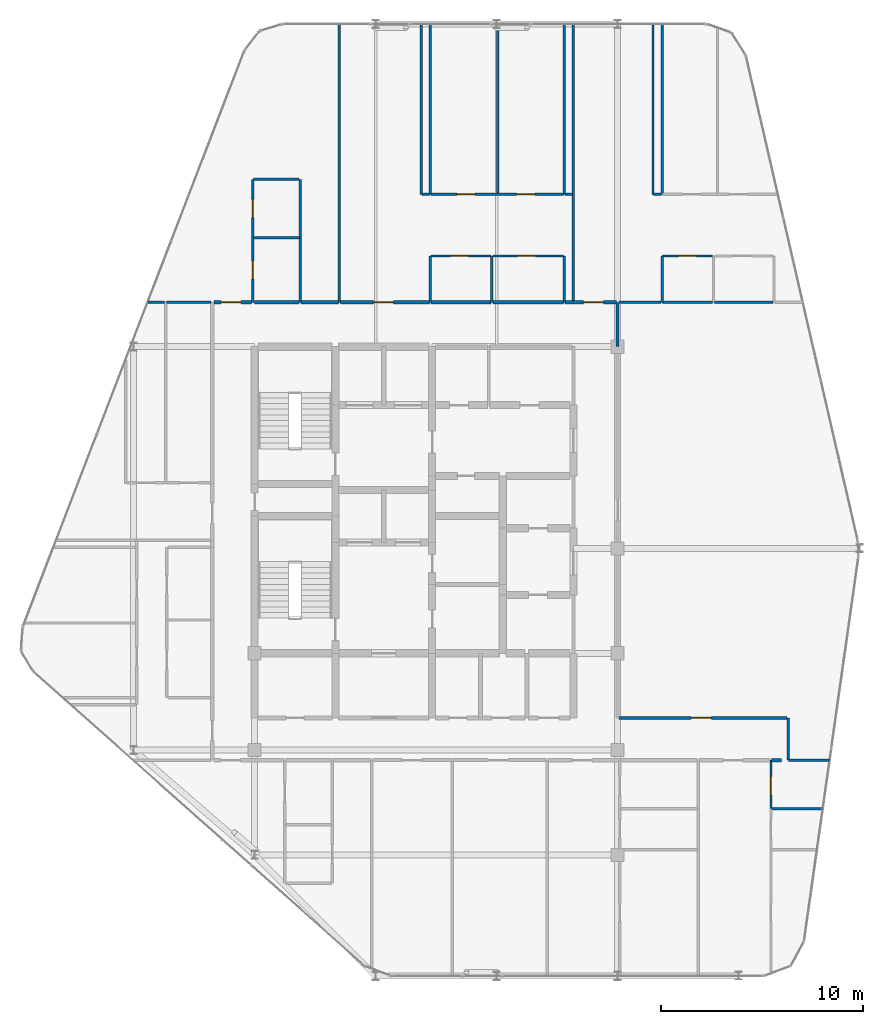
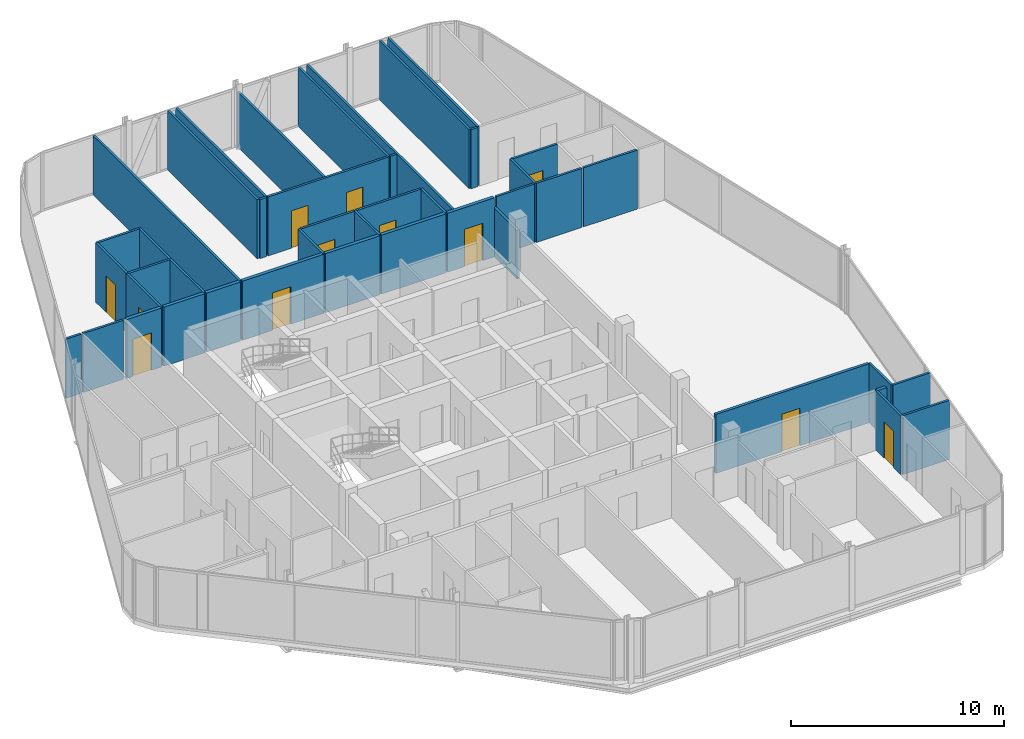
# One storey, part 25 of 27: 44 walls, 12 doors, 12 openings.
"""IFC4 building model written with IfcOpenShell, lengths in metres."""

from ifc_helpers import new_model, si_unit, direction, frame, frame_2d, origin, place, context, subcontext, project, spatial, rectangle, extrude, material, layer, layer_set, type_object, element, fill, save


model = new_model("IFC4")

# Units and contexts
model_context = context("Model", 3, precision=1e-05, world=origin(), true_north=direction((0.0, 1.0)))
body_context = subcontext(model_context, "Body", "Model", "MODEL_VIEW")
ifc_project = project(units=[si_unit("LENGTHUNIT", "METRE"), si_unit("AREAUNIT", "SQUARE_METRE"), si_unit("VOLUMEUNIT", "CUBIC_METRE"), si_unit("PLANEANGLEUNIT", "RADIAN"), si_unit("MASSUNIT", "GRAM", prefix="KILO")], contexts=[model_context])

# Site, building, storey
site_placement = place(None, origin())
site = spatial("IfcSite", under=ifc_project, at=site_placement, CompositionType="ELEMENT")
building_placement = place(site_placement, origin())
building = spatial("IfcBuilding", under=site, at=building_placement, Name="Keshet Zoharim Tower", CompositionType="ELEMENT")
storey_placement = place(building_placement, frame((0.0, 0.0, 284.300048828125)))
storey = spatial("IfcBuildingStorey", under=building, at=storey_placement, Name="L71", CompositionType="ELEMENT", Elevation=284.300048828125)

# Wall, opening, door
ifc_material_1 = material(Name="Gypsum Plasterboard", Category="gypsum")
ifc_layer_1 = layer(ifc_material_1, 0.14990234375)
ifc_layer_set_1 = layer_set([ifc_layer_1], Name="Gypsum Plasterboard")
wall_type_1 = type_object("IfcWallType", Name="WL-CLIN-150", PredefinedType="STANDARD", material=ifc_layer_set_1)
wall_1_placement = place(storey_placement, frame((33.06005859375, 19.5, 0.0), z_axis=(0.0, 0.0, 1.0), x_axis=(1.0, 0.0, 0.0)))
wall_1 = element("IfcWall", 1, at=wall_1_placement, inside=storey, type_object=wall_type_1, Name="L71 Interior Wall 103", PredefinedType="STANDARD", context=body_context, shape_type="SweptSolid", body=[
    extrude(rectangle(XDim=8.322998046875, YDim=0.14990234375, at=frame_2d((4.16162109375, 0.0))), origin(), (0.0, 0.0, 1.0), 3.389892578125),
])
opening_1_placement = place(wall_1_placement, frame((3.5830078125, 0.0, 0.0)))
opening_1 = element("IfcOpeningElement", 2, at=opening_1_placement, cuts=wall_1, Name="Opening D-F310", PredefinedType="OPENING", context=body_context, shape_type="SweptSolid", body=[
    extrude(rectangle(XDim=1.0, YDim=2.14990234375, at=frame_2d((0.5, 1.074951171875))), frame((0.0, 0.0849609375, 0.0), z_axis=(0.0, -1.0, 0.0), x_axis=(1.0, 0.0, 0.0)), (0.0, 0.0, 1.0), 0.169921875),
])
ifc_material_2 = material(Name="Hardwood Timber", Category="wood")
door_type_1 = type_object("IfcDoorType", Name="DR-FD30-100", OperationType="NOTDEFINED", PredefinedType="DOOR", material=ifc_material_2)
door_1_placement = place(opening_1_placement, origin())
door_1 = element("IfcDoor", 3, at=door_1_placement, inside=storey, type_object=door_type_1, Name="L71 North West Residents Services Suite Door 2", OperationType="SINGLE_SWING_RIGHT", OverallHeight=2.14990234375, OverallWidth=1.0, PredefinedType="DOOR", context=body_context, shape_type="SweptSolid", body=[
    extrude(rectangle(XDim=1.0, YDim=2.14990234375, at=frame_2d((0.5, 1.074951171875))), frame((0.0, 0.02490234375, 0.0), z_axis=(0.0, -1.0, 0.0), x_axis=(1.0, 0.0, 0.0)), (0.0, 0.0, 1.0), 0.050048828125),
])
fill(opening_1, door_1)

# Walls
wall_2_placement = place(storey_placement, frame((33.0, 37.89990234375, 0.0), z_axis=(0.0, 0.0, 1.0), x_axis=(0.0, 1.0, 0.0)))
element("IfcWall", 4, at=wall_2_placement, inside=storey, type_object=wall_type_1, Name="L71 Interior Wall 065 Part 3", PredefinedType="STANDARD", context=body_context, shape_type="SweptSolid", body=[
    extrude(rectangle(XDim=2.2001953125, YDim=0.14990234375, at=frame_2d((1.10009765625, 0.0))), origin(), (0.0, 0.0, 1.0), 2.7900390625),
])
ifc_layer_2 = layer(ifc_material_1, 0.179931640625)
ifc_layer_set_2 = layer_set([ifc_layer_2], Name="Gypsum Plasterboard")
wall_type_2 = type_object("IfcWallType", Name="WL-CORR-180", PredefinedType="STANDARD", material=ifc_layer_set_2)
wall_3_placement = place(storey_placement, frame((40.625, 17.39990234375, 0.0), z_axis=(0.0, 0.0, 1.0), x_axis=(1.0, 0.0, 0.0)))
element("IfcWall", 5, at=wall_3_placement, inside=storey, type_object=wall_type_2, Name="L71 Interior Wall 097", PredefinedType="STANDARD", context=body_context, shape_type="SweptSolid", body=[
    extrude(rectangle(XDim=0.5048828125, YDim=0.179931640625, at=frame_2d((0.25244140625, 0.0))), origin(), (0.0, 0.0, 1.0), 3.389892578125),
])

# Wall, opening, door
wall_4_placement = place(storey_placement, frame((12.97509765625, 40.10009765625, 0.0), z_axis=(0.0, 0.0, 1.0), x_axis=(1.0, 0.0, 0.0)))
wall_4 = element("IfcWall", 6, at=wall_4_placement, inside=storey, type_object=wall_type_2, Name="L71 Interior Wall 139", PredefinedType="STANDARD", context=body_context, shape_type="SweptSolid", body=[
    extrude(rectangle(XDim=1.8798828125, YDim=0.179931640625, at=frame_2d((0.93994140625, 0.0))), origin(), (0.0, 0.0, 1.0), 3.389892578125),
])
opening_2_placement = place(wall_4_placement, frame((0.346923828125, 0.0, 0.0)))
opening_2 = element("IfcOpeningElement", 7, at=opening_2_placement, cuts=wall_4, Name="Opening D-F310", PredefinedType="OPENING", context=body_context, shape_type="SweptSolid", body=[
    extrude(rectangle(XDim=1.0, YDim=2.14990234375, at=frame_2d((0.5, 1.074951171875))), frame((0.0, 0.10009765625, 0.0), z_axis=(0.0, -1.0, 0.0), x_axis=(1.0, 0.0, 0.0)), (0.0, 0.0, 1.0), 0.199951171875),
])
door_2_placement = place(opening_2_placement, origin())
door_2 = element("IfcDoor", 8, at=door_2_placement, inside=storey, type_object=door_type_1, Name="Apartment 7104 Entrance Door", OperationType="SINGLE_SWING_LEFT", OverallHeight=2.14990234375, OverallWidth=1.0, PredefinedType="DOOR", context=body_context, shape_type="SweptSolid", body=[
    extrude(rectangle(XDim=1.0, YDim=2.14990234375, at=frame_2d((0.5, 1.074951171875))), frame((0.0, 0.02490234375, 0.0), z_axis=(0.0, -1.0, 0.0), x_axis=(1.0, 0.0, 0.0)), (0.0, 0.0, 1.0), 0.050048828125),
])
fill(opening_2, door_2)

# Walls
wall_5_placement = place(storey_placement, frame((15.0, 40.10009765625, 0.0), z_axis=(0.0, 0.0, 1.0), x_axis=(1.0, 0.0, 0.0)))
element("IfcWall", 9, at=wall_5_placement, inside=storey, type_object=wall_type_2, Name="L71 Interior Wall 140", PredefinedType="STANDARD", context=body_context, shape_type="SweptSolid", body=[
    extrude(rectangle(XDim=2.205078125, YDim=0.179931640625, at=frame_2d((1.1025390625, 0.0))), origin(), (0.0, 0.0, 1.0), 3.389892578125),
])
wall_6_placement = place(storey_placement, frame((17.294921875, 40.10009765625, 0.0), z_axis=(0.0, 0.0, 1.0), x_axis=(1.0, 0.0, 0.0)))
element("IfcWall", 10, at=wall_6_placement, inside=storey, type_object=wall_type_2, Name="L71 Interior Wall 141", PredefinedType="STANDARD", context=body_context, shape_type="SweptSolid", body=[
    extrude(rectangle(XDim=1.860107421875, YDim=0.179931640625, at=frame_2d((0.93017578125, 0.0))), origin(), (0.0, 0.0, 1.0), 3.389892578125),
])

# Wall, opening, door
wall_7_placement = place(storey_placement, frame((19.2451171875, 40.10009765625, 0.0), z_axis=(0.0, 0.0, 1.0), x_axis=(1.0, 0.0, 0.0)))
wall_7 = element("IfcWall", 11, at=wall_7_placement, inside=storey, type_object=wall_type_2, Name="L71 Interior Wall 142", PredefinedType="STANDARD", context=body_context, shape_type="SweptSolid", body=[
    extrude(rectangle(XDim=4.419921875, YDim=0.179931640625, at=frame_2d((2.2099609375, 0.0))), origin(), (0.0, 0.0, 1.0), 3.389892578125),
])
opening_3_placement = place(wall_7_placement, frame((1.637939453125, 0.0, 0.0)))
opening_3 = element("IfcOpeningElement", 12, at=opening_3_placement, cuts=wall_7, Name="Opening D-F310", PredefinedType="OPENING", context=body_context, shape_type="SweptSolid", body=[
    extrude(rectangle(XDim=1.0, YDim=2.14990234375, at=frame_2d((0.5, 1.074951171875))), frame((0.0, 0.10009765625, 0.0), z_axis=(0.0, -1.0, 0.0), x_axis=(1.0, 0.0, 0.0)), (0.0, 0.0, 1.0), 0.199951171875),
])
door_3_placement = place(opening_3_placement, origin())
door_3 = element("IfcDoor", 13, at=door_3_placement, inside=storey, type_object=door_type_1, Name="Apartment 7105 Entrance Door", OperationType="SINGLE_SWING_RIGHT", OverallHeight=2.14990234375, OverallWidth=1.0, PredefinedType="DOOR", context=body_context, shape_type="SweptSolid", body=[
    extrude(rectangle(XDim=1.0, YDim=2.14990234375, at=frame_2d((0.5, 1.074951171875))), frame((0.0, 0.02490234375, 0.0), z_axis=(0.0, -1.0, 0.0), x_axis=(1.0, 0.0, 0.0)), (0.0, 0.0, 1.0), 0.050048828125),
])
fill(opening_3, door_3)

# Walls
wall_8_placement = place(storey_placement, frame((23.7548828125, 40.10009765625, 0.0), z_axis=(0.0, 0.0, 1.0), x_axis=(1.0, 0.0, 0.0)))
element("IfcWall", 14, at=wall_8_placement, inside=storey, type_object=wall_type_2, Name="L71 Interior Wall 143", PredefinedType="STANDARD", context=body_context, shape_type="SweptSolid", body=[
    extrude(rectangle(XDim=2.964111328125, YDim=0.179931640625, at=frame_2d((1.48193359375, 0.0))), origin(), (0.0, 0.0, 1.0), 3.389892578125),
])
wall_9_placement = place(storey_placement, frame((26.80908203125, 40.10009765625, 0.0), z_axis=(0.0, 0.0, 1.0), x_axis=(1.0, 0.0, 0.0)))
element("IfcWall", 15, at=wall_9_placement, inside=storey, type_object=wall_type_2, Name="L71 Interior Wall 144", PredefinedType="STANDARD", context=body_context, shape_type="SweptSolid", body=[
    extrude(rectangle(XDim=3.495849609375, YDim=0.179931640625, at=frame_2d((1.748046875, 0.0))), origin(), (0.0, 0.0, 1.0), 3.389892578125),
])

# Wall, opening, door
wall_10_placement = place(storey_placement, frame((30.39501953125, 40.10009765625, 0.0), z_axis=(0.0, 0.0, 1.0), x_axis=(1.0, 0.0, 0.0)))
wall_10 = element("IfcWall", 16, at=wall_10_placement, inside=storey, type_object=wall_type_2, Name="L71 Interior Wall 145", PredefinedType="STANDARD", context=body_context, shape_type="SweptSolid", body=[
    extrude(rectangle(XDim=2.544921875, YDim=0.179931640625, at=frame_2d((1.2724609375, 0.0))), origin(), (0.0, 0.0, 1.0), 3.389892578125),
])
opening_4_placement = place(wall_10_placement, frame((0.906005859375, 0.0, 0.0)))
opening_4 = element("IfcOpeningElement", 17, at=opening_4_placement, cuts=wall_10, Name="Opening D-F310", PredefinedType="OPENING", context=body_context, shape_type="SweptSolid", body=[
    extrude(rectangle(XDim=1.0, YDim=2.14990234375, at=frame_2d((0.5, 1.074951171875))), frame((0.0, 0.10009765625, 0.0), z_axis=(0.0, -1.0, 0.0), x_axis=(1.0, 0.0, 0.0)), (0.0, 0.0, 1.0), 0.199951171875),
])
door_4_placement = place(opening_4_placement, origin())
door_4 = element("IfcDoor", 18, at=door_4_placement, inside=storey, type_object=door_type_1, Name="Apartment 7106 Entrance Door", OperationType="SINGLE_SWING_LEFT", OverallHeight=2.14990234375, OverallWidth=1.0, PredefinedType="DOOR", context=body_context, shape_type="SweptSolid", body=[
    extrude(rectangle(XDim=1.0, YDim=2.14990234375, at=frame_2d((0.5, 1.074951171875))), frame((0.0, 0.02490234375, 0.0), z_axis=(0.0, -1.0, 0.0), x_axis=(1.0, 0.0, 0.0)), (0.0, 0.0, 1.0), 0.050048828125),
])
fill(opening_4, door_4)

ifc_layer_3 = layer(ifc_material_1, 0.1201171875)
ifc_layer_set_3 = layer_set([ifc_layer_3], Name="Gypsum Plasterboard")
wall_type_3 = type_object("IfcWallType", Name="WL-PART-120", PredefinedType="PARTITIONING", material=ifc_layer_set_3)
wall_11_placement = place(storey_placement, frame((14.89990234375, 40.10009765625, 0.0), z_axis=(0.0, 0.0, 1.0), x_axis=(0.0, 1.0, 0.0)))
wall_11 = element("IfcWall", 19, at=wall_11_placement, inside=storey, type_object=wall_type_3, Name="L71 Interior Wall 014", PredefinedType="PARTITIONING", context=body_context, shape_type="SweptSolid", body=[
    extrude(rectangle(XDim=3.199951171875, YDim=0.1201171875, at=frame_2d((1.60009765625, 0.0))), origin(), (0.0, 0.0, 1.0), 3.389892578125),
])
opening_5_placement = place(wall_11_placement, frame((1.14990234375, 0.0, 0.0)))
opening_5 = element("IfcOpeningElement", 20, at=opening_5_placement, cuts=wall_11, Name="Opening D-IN90", PredefinedType="OPENING", context=body_context, shape_type="SweptSolid", body=[
    extrude(rectangle(XDim=0.89990234375, YDim=2.14990234375, at=frame_2d((0.449951171875, 1.074951171875))), frame((0.0, 0.070068359375, 0.0), z_axis=(0.0, -1.0, 0.0), x_axis=(1.0, 0.0, 0.0)), (0.0, 0.0, 1.0), 0.14013671875),
])
door_type_2 = type_object("IfcDoorType", Name="DR-INT-090", OperationType="NOTDEFINED", PredefinedType="DOOR", material=ifc_material_2)
door_5_placement = place(opening_5_placement, origin())
door_5 = element("IfcDoor", 21, at=door_5_placement, inside=storey, type_object=door_type_2, Name="Apartment 7104 Kitchenette Door", OperationType="SINGLE_SWING_LEFT", OverallHeight=2.14990234375, OverallWidth=0.89990234375, PredefinedType="DOOR", context=body_context, shape_type="SweptSolid", body=[
    extrude(rectangle(XDim=0.89990234375, YDim=2.14990234375, at=frame_2d((0.449951171875, 1.074951171875))), frame((0.0, 0.02490234375, 0.0), z_axis=(0.0, -1.0, 0.0), x_axis=(1.0, 0.0, 0.0)), (0.0, 0.0, 1.0), 0.050048828125),
])
fill(opening_5, door_5)

# Walls
wall_12_placement = place(storey_placement, frame((17.25, 40.10009765625, 0.0), z_axis=(0.0, 0.0, 1.0), x_axis=(0.0, 1.0, 0.0)))
element("IfcWall", 22, at=wall_12_placement, inside=storey, type_object=wall_type_3, Name="L71 Interior Wall 022", PredefinedType="PARTITIONING", context=body_context, shape_type="SweptSolid", body=[
    extrude(rectangle(XDim=3.199951171875, YDim=0.1201171875, at=frame_2d((1.60009765625, 0.0))), origin(), (0.0, 0.0, 1.0), 3.389892578125),
])
wall_13_placement = place(storey_placement, frame((19.199951171875, 40.10009765625, 0.0), z_axis=(0.0, 0.0, 1.0), x_axis=(0.0, 1.0, 0.0)))
element("IfcWall", 23, at=wall_13_placement, inside=storey, type_object=wall_type_3, Name="L71 Interior Wall 031", PredefinedType="PARTITIONING", context=body_context, shape_type="SweptSolid", body=[
    extrude(rectangle(XDim=13.789794921875, YDim=0.1201171875, at=frame_2d((6.89501953125, 0.0))), origin(), (0.0, 0.0, 1.0), 3.389892578125),
])
wall_14_placement = place(storey_placement, frame((23.25, 45.449951171875, 0.0), z_axis=(0.0, 0.0, 1.0), x_axis=(0.0, 1.0, 0.0)))
element("IfcWall", 24, at=wall_14_placement, inside=storey, type_object=wall_type_3, Name="L71 Interior Wall 035", PredefinedType="PARTITIONING", context=body_context, shape_type="SweptSolid", body=[
    extrude(rectangle(XDim=8.43994140625, YDim=0.1201171875, at=frame_2d((4.219970703125, 0.0))), origin(), (0.0, 0.0, 1.0), 3.389892578125),
])
wall_15_placement = place(storey_placement, frame((23.699951171875, 40.10009765625, 0.0), z_axis=(0.0, 0.0, 1.0), x_axis=(0.0, 1.0, 0.0)))
element("IfcWall", 25, at=wall_15_placement, inside=storey, type_object=wall_type_3, Name="L71 Interior Wall 036", PredefinedType="PARTITIONING", context=body_context, shape_type="SweptSolid", body=[
    extrude(rectangle(XDim=2.2998046875, YDim=0.1201171875, at=frame_2d((1.14990234375, 0.0))), origin(), (0.0, 0.0, 1.0), 3.389892578125),
])
wall_16_placement = place(storey_placement, frame((23.699951171875, 45.449951171875, 0.0), z_axis=(0.0, 0.0, 1.0), x_axis=(0.0, 1.0, 0.0)))
element("IfcWall", 26, at=wall_16_placement, inside=storey, type_object=wall_type_3, Name="L71 Interior Wall 037", PredefinedType="PARTITIONING", context=body_context, shape_type="SweptSolid", body=[
    extrude(rectangle(XDim=8.43994140625, YDim=0.1201171875, at=frame_2d((4.219970703125, 0.0))), origin(), (0.0, 0.0, 1.0), 3.389892578125),
])
wall_17_placement = place(storey_placement, frame((27.050048828125, 45.449951171875, 0.0), z_axis=(0.0, 0.0, 1.0), x_axis=(0.0, 1.0, 0.0)))
element("IfcWall", 27, at=wall_17_placement, inside=storey, type_object=wall_type_3, Name="L71 Interior Wall 049", PredefinedType="PARTITIONING", context=body_context, shape_type="SweptSolid", body=[
    extrude(rectangle(XDim=8.43994140625, YDim=0.1201171875, at=frame_2d((4.219970703125, 0.0))), origin(), (0.0, 0.0, 1.0), 3.14990234375),
])
wall_18_placement = place(storey_placement, frame((30.35009765625, 45.449951171875, 0.0), z_axis=(0.0, 0.0, 1.0), x_axis=(0.0, 1.0, 0.0)))
element("IfcWall", 28, at=wall_18_placement, inside=storey, type_object=wall_type_3, Name="L71 Interior Wall 057", PredefinedType="PARTITIONING", context=body_context, shape_type="SweptSolid", body=[
    extrude(rectangle(XDim=8.43994140625, YDim=0.1201171875, at=frame_2d((4.219970703125, 0.0))), origin(), (0.0, 0.0, 1.0), 3.389892578125),
])
wall_19_placement = place(storey_placement, frame((30.800048828125, 40.10009765625, 0.0), z_axis=(0.0, 0.0, 1.0), x_axis=(0.0, 1.0, 0.0)))
element("IfcWall", 29, at=wall_19_placement, inside=storey, type_object=wall_type_3, Name="L71 Interior Wall 064", PredefinedType="PARTITIONING", context=body_context, shape_type="SweptSolid", body=[
    extrude(rectangle(XDim=13.789794921875, YDim=0.1201171875, at=frame_2d((6.89501953125, 0.0))), origin(), (0.0, 0.0, 1.0), 3.389892578125),
])
wall_20_placement = place(storey_placement, frame((34.75, 45.449951171875, 0.0), z_axis=(0.0, 0.0, 1.0), x_axis=(0.0, 1.0, 0.0)))
element("IfcWall", 30, at=wall_20_placement, inside=storey, type_object=wall_type_3, Name="L71 Interior Wall 069", PredefinedType="PARTITIONING", context=body_context, shape_type="SweptSolid", body=[
    extrude(rectangle(XDim=8.43994140625, YDim=0.1201171875, at=frame_2d((4.219970703125, 0.0))), origin(), (0.0, 0.0, 1.0), 3.389892578125),
])
wall_21_placement = place(storey_placement, frame((35.199951171875, 40.10009765625, 0.0), z_axis=(0.0, 0.0, 1.0), x_axis=(0.0, 1.0, 0.0)))
element("IfcWall", 31, at=wall_21_placement, inside=storey, type_object=wall_type_3, Name="L71 Interior Wall 070", PredefinedType="PARTITIONING", context=body_context, shape_type="SweptSolid", body=[
    extrude(rectangle(XDim=2.2998046875, YDim=0.1201171875, at=frame_2d((1.14990234375, 0.0))), origin(), (0.0, 0.0, 1.0), 3.389892578125),
])
wall_22_placement = place(storey_placement, frame((35.199951171875, 45.449951171875, 0.0), z_axis=(0.0, 0.0, 1.0), x_axis=(0.0, 1.0, 0.0)))
element("IfcWall", 32, at=wall_22_placement, inside=storey, type_object=wall_type_3, Name="L71 Interior Wall 071", PredefinedType="PARTITIONING", context=body_context, shape_type="SweptSolid", body=[
    extrude(rectangle(XDim=8.43994140625, YDim=0.1201171875, at=frame_2d((4.219970703125, 0.0))), origin(), (0.0, 0.0, 1.0), 3.389892578125),
])
wall_23_placement = place(storey_placement, frame((41.449951171875, 17.39990234375, 0.0), z_axis=(0.0, 0.0, 1.0), x_axis=(0.0, 1.0, 0.0)))
element("IfcWall", 33, at=wall_23_placement, inside=storey, type_object=wall_type_3, Name="L71 Interior Wall 081", PredefinedType="PARTITIONING", context=body_context, shape_type="SweptSolid", body=[
    extrude(rectangle(XDim=2.09912109375, YDim=0.1201171875, at=frame_2d((1.049560546875, 0.0))), origin(), (0.0, 0.0, 1.0), 3.389892578125),
])
wall_24_placement = place(storey_placement, frame((9.701904296875, 40.10009765625, 0.0), z_axis=(0.0, 0.0, 1.0), x_axis=(1.0, 0.0, 0.0)))
element("IfcWall", 34, at=wall_24_placement, inside=storey, type_object=wall_type_3, Name="L71 Interior Wall 137", PredefinedType="PARTITIONING", context=body_context, shape_type="SweptSolid", body=[
    extrude(rectangle(XDim=0.8310546875, YDim=0.1201171875, at=frame_2d((0.41552734375, 0.0))), origin(), (0.0, 0.0, 1.0), 3.389892578125),
])
wall_25_placement = place(storey_placement, frame((33.06005859375, 40.10009765625, 0.0), z_axis=(0.0, 0.0, 1.0), x_axis=(1.0, 0.0, 0.0)))
element("IfcWall", 35, at=wall_25_placement, inside=storey, type_object=wall_type_3, Name="L71 Interior Wall 146", PredefinedType="PARTITIONING", context=body_context, shape_type="SweptSolid", body=[
    extrude(rectangle(XDim=2.074951171875, YDim=0.1201171875, at=frame_2d((1.03759765625, 0.0))), origin(), (0.0, 0.0, 1.0), 3.389892578125),
])
wall_26_placement = place(storey_placement, frame((35.22509765625, 40.10009765625, 0.0), z_axis=(0.0, 0.0, 1.0), x_axis=(1.0, 0.0, 0.0)))
element("IfcWall", 36, at=wall_26_placement, inside=storey, type_object=wall_type_3, Name="L71 Interior Wall 147", PredefinedType="PARTITIONING", context=body_context, shape_type="SweptSolid", body=[
    extrude(rectangle(XDim=2.472900390625, YDim=0.1201171875, at=frame_2d((1.236328125, 0.0))), origin(), (0.0, 0.0, 1.0), 3.389892578125),
])

# Wall, opening, door
wall_27_placement = place(storey_placement, frame((23.7548828125, 42.39990234375, 0.0), z_axis=(0.0, 0.0, 1.0), x_axis=(1.0, 0.0, 0.0)))
wall_27 = element("IfcWall", 37, at=wall_27_placement, inside=storey, type_object=wall_type_3, Name="L71 Interior Wall 150", PredefinedType="PARTITIONING", context=body_context, shape_type="SweptSolid", body=[
    extrude(rectangle(XDim=2.964111328125, YDim=0.1201171875, at=frame_2d((1.48193359375, 0.0))), origin(), (0.0, 0.0, 1.0), 3.389892578125),
])
opening_6_placement = place(wall_27_placement, frame((0.9580078125, 0.0, 0.0)))
opening_6 = element("IfcOpeningElement", 38, at=opening_6_placement, cuts=wall_27, Name="Opening D-IN90", PredefinedType="OPENING", context=body_context, shape_type="SweptSolid", body=[
    extrude(rectangle(XDim=0.89990234375, YDim=2.14990234375, at=frame_2d((0.449951171875, 1.074951171875))), frame((0.0, 0.070068359375, 0.0), z_axis=(0.0, -1.0, 0.0), x_axis=(1.0, 0.0, 0.0)), (0.0, 0.0, 1.0), 0.14013671875),
])
door_6_placement = place(opening_6_placement, origin())
door_6 = element("IfcDoor", 39, at=door_6_placement, inside=storey, type_object=door_type_2, Name="Apartment 7105 Kitchen Door", OperationType="SINGLE_SWING_RIGHT", OverallHeight=2.14990234375, OverallWidth=0.89990234375, PredefinedType="DOOR", context=body_context, shape_type="SweptSolid", body=[
    extrude(rectangle(XDim=0.89990234375, YDim=2.14990234375, at=frame_2d((0.449951171875, 1.074951171875))), frame((0.0, 0.02490234375, 0.0), z_axis=(0.0, -1.0, 0.0), x_axis=(1.0, 0.0, 0.0)), (0.0, 0.0, 1.0), 0.050048828125),
])
fill(opening_6, door_6)

wall_28_placement = place(storey_placement, frame((35.22509765625, 42.39990234375, 0.0), z_axis=(0.0, 0.0, 1.0), x_axis=(1.0, 0.0, 0.0)))
wall_28 = element("IfcWall", 40, at=wall_28_placement, inside=storey, type_object=wall_type_3, Name="L71 Interior Wall 152", PredefinedType="PARTITIONING", context=body_context, shape_type="SweptSolid", body=[
    extrude(rectangle(XDim=2.472900390625, YDim=0.1201171875, at=frame_2d((1.236328125, 0.0))), origin(), (0.0, 0.0, 1.0), 3.389892578125),
])
opening_7_placement = place(wall_28_placement, frame((0.787109375, 0.0, 0.0)))
opening_7 = element("IfcOpeningElement", 41, at=opening_7_placement, cuts=wall_28, Name="Opening D-IN90", PredefinedType="OPENING", context=body_context, shape_type="SweptSolid", body=[
    extrude(rectangle(XDim=0.89990234375, YDim=2.14990234375, at=frame_2d((0.449951171875, 1.074951171875))), frame((0.0, 0.070068359375, 0.0), z_axis=(0.0, -1.0, 0.0), x_axis=(1.0, 0.0, 0.0)), (0.0, 0.0, 1.0), 0.14013671875),
])
door_7_placement = place(opening_7_placement, origin())
door_7 = element("IfcDoor", 42, at=door_7_placement, inside=storey, type_object=door_type_2, Name="Apartment 7106 Kitchen Door", OperationType="SINGLE_SWING_RIGHT", OverallHeight=2.14990234375, OverallWidth=0.89990234375, PredefinedType="DOOR", context=body_context, shape_type="SweptSolid", body=[
    extrude(rectangle(XDim=0.89990234375, YDim=2.14990234375, at=frame_2d((0.449951171875, 1.074951171875))), frame((0.0, 0.02490234375, 0.0), z_axis=(0.0, -1.0, 0.0), x_axis=(1.0, 0.0, 0.0)), (0.0, 0.0, 1.0), 0.050048828125),
])
fill(opening_7, door_7)

# Wall
wall_29_placement = place(storey_placement, frame((23.304931640625, 45.449951171875, 0.0), z_axis=(0.0, 0.0, 1.0), x_axis=(1.0, 0.0, 0.0)))
element("IfcWall", 43, at=wall_29_placement, inside=storey, type_object=wall_type_3, Name="L71 Interior Wall 155", PredefinedType="PARTITIONING", context=body_context, shape_type="SweptSolid", body=[
    extrude(rectangle(XDim=0.360107421875, YDim=0.1201171875, at=frame_2d((0.18017578125, 0.0))), origin(), (0.0, 0.0, 1.0), 3.389892578125),
])

# Wall, openings, doors
wall_30_placement = place(storey_placement, frame((23.7548828125, 45.449951171875, 0.0), z_axis=(0.0, 0.0, 1.0), x_axis=(1.0, 0.0, 0.0)))
wall_30 = element("IfcWall", 44, at=wall_30_placement, inside=storey, type_object=wall_type_3, Name="L71 Interior Wall 156", PredefinedType="PARTITIONING", context=body_context, shape_type="SweptSolid", body=[
    extrude(rectangle(XDim=6.550048828125, YDim=0.1201171875, at=frame_2d((3.27490234375, 0.0))), origin(), (0.0, 0.0, 1.0), 3.389892578125),
])
opening_8_placement = place(wall_30_placement, frame((1.26806640625, 0.0, 0.0)))
opening_8 = element("IfcOpeningElement", 45, at=opening_8_placement, cuts=wall_30, Name="Opening D-IN90", PredefinedType="OPENING", context=body_context, shape_type="SweptSolid", body=[
    extrude(rectangle(XDim=0.89990234375, YDim=2.14990234375, at=frame_2d((0.449951171875, 1.074951171875))), frame((0.0, 0.070068359375, 0.0), z_axis=(0.0, -1.0, 0.0), x_axis=(1.0, 0.0, 0.0)), (0.0, 0.0, 1.0), 0.14013671875),
])
opening_9_placement = place(wall_30_placement, frame((4.238037109375, 0.0, 0.0)))
opening_9 = element("IfcOpeningElement", 46, at=opening_9_placement, cuts=wall_30, Name="Opening D-IN90", PredefinedType="OPENING", context=body_context, shape_type="SweptSolid", body=[
    extrude(rectangle(XDim=0.89990234375, YDim=2.14990234375, at=frame_2d((0.449951171875, 1.074951171875))), frame((0.0, 0.070068359375, 0.0), z_axis=(0.0, -1.0, 0.0), x_axis=(1.0, 0.0, 0.0)), (0.0, 0.0, 1.0), 0.14013671875),
])
door_8_placement = place(opening_8_placement, origin())
door_8 = element("IfcDoor", 47, at=door_8_placement, inside=storey, type_object=door_type_2, Name="Apartment 7105 Bedroom 1 Door", OperationType="SINGLE_SWING_RIGHT", OverallHeight=2.14990234375, OverallWidth=0.89990234375, PredefinedType="DOOR", context=body_context, shape_type="SweptSolid", body=[
    extrude(rectangle(XDim=0.89990234375, YDim=2.14990234375, at=frame_2d((0.449951171875, 1.074951171875))), frame((0.0, 0.02490234375, 0.0), z_axis=(0.0, -1.0, 0.0), x_axis=(1.0, 0.0, 0.0)), (0.0, 0.0, 1.0), 0.050048828125),
])
fill(opening_8, door_8)
door_9_placement = place(opening_9_placement, origin())
door_9 = element("IfcDoor", 48, at=door_9_placement, inside=storey, type_object=door_type_2, Name="Apartment 7105 Bedroom 2 Door", OperationType="SINGLE_SWING_LEFT", OverallHeight=2.14990234375, OverallWidth=0.89990234375, PredefinedType="DOOR", context=body_context, shape_type="SweptSolid", body=[
    extrude(rectangle(XDim=0.89990234375, YDim=2.14990234375, at=frame_2d((0.449951171875, 1.074951171875))), frame((0.0, 0.02490234375, 0.0), z_axis=(0.0, -1.0, 0.0), x_axis=(1.0, 0.0, 0.0)), (0.0, 0.0, 1.0), 0.050048828125),
])
fill(opening_9, door_9)

# Walls
wall_31_placement = place(storey_placement, frame((30.39501953125, 45.449951171875, 0.0), z_axis=(0.0, 0.0, 1.0), x_axis=(1.0, 0.0, 0.0)))
element("IfcWall", 49, at=wall_31_placement, inside=storey, type_object=wall_type_3, Name="L71 Interior Wall 157", PredefinedType="PARTITIONING", context=body_context, shape_type="SweptSolid", body=[
    extrude(rectangle(XDim=0.35986328125, YDim=0.1201171875, at=frame_2d((0.179931640625, 0.0))), origin(), (0.0, 0.0, 1.0), 3.389892578125),
])
wall_32_placement = place(storey_placement, frame((34.77490234375, 45.449951171875, 0.0), z_axis=(0.0, 0.0, 1.0), x_axis=(1.0, 0.0, 0.0)))
element("IfcWall", 50, at=wall_32_placement, inside=storey, type_object=wall_type_3, Name="L71 Interior Wall 158", PredefinedType="PARTITIONING", context=body_context, shape_type="SweptSolid", body=[
    extrude(rectangle(XDim=0.360107421875, YDim=0.1201171875, at=frame_2d((0.18017578125, 0.0))), origin(), (0.0, 0.0, 1.0), 3.389892578125),
])

# Wall, opening, door
ifc_layer_4 = layer(ifc_material_1, 0.1201171875)
ifc_layer_set_4 = layer_set([ifc_layer_4], Name="Gypsum Plasterboard")
wall_type_4 = type_object("IfcWallType", Name="WL-WET-120", PredefinedType="PARTITIONING", material=ifc_layer_set_4)
wall_33_placement = place(storey_placement, frame((14.89990234375, 43.300048828125, 0.0), z_axis=(0.0, 0.0, 1.0), x_axis=(0.0, 1.0, 0.0)))
wall_33 = element("IfcWall", 51, at=wall_33_placement, inside=storey, type_object=wall_type_4, Name="L71 Interior Wall 015", PredefinedType="PARTITIONING", context=body_context, shape_type="SweptSolid", body=[
    extrude(rectangle(XDim=2.89990234375, YDim=0.1201171875, at=frame_2d((1.449951171875, 0.0))), origin(), (0.0, 0.0, 1.0), 3.389892578125),
])
opening_10_placement = place(wall_33_placement, frame((1.0, 0.0, 0.0)))
opening_10 = element("IfcOpeningElement", 52, at=opening_10_placement, cuts=wall_33, Name="Opening D-WT90", PredefinedType="OPENING", context=body_context, shape_type="SweptSolid", body=[
    extrude(rectangle(XDim=0.89990234375, YDim=2.10009765625, at=frame_2d((0.449951171875, 1.050048828125))), frame((0.0, 0.070068359375, 0.0), z_axis=(0.0, -1.0, 0.0), x_axis=(1.0, 0.0, 0.0)), (0.0, 0.0, 1.0), 0.14013671875),
])
door_type_3 = type_object("IfcDoorType", Name="DR-WET-090", OperationType="NOTDEFINED", PredefinedType="DOOR", material=ifc_material_2)
door_10_placement = place(opening_10_placement, origin())
door_10 = element("IfcDoor", 53, at=door_10_placement, inside=storey, type_object=door_type_3, Name="Apartment 7104 Bathroom Door", OperationType="SINGLE_SWING_RIGHT", OverallHeight=2.10009765625, OverallWidth=0.89990234375, PredefinedType="DOOR", context=body_context, shape_type="SweptSolid", body=[
    extrude(rectangle(XDim=0.89990234375, YDim=2.10009765625, at=frame_2d((0.449951171875, 1.050048828125))), frame((0.0, 0.02490234375, 0.0), z_axis=(0.0, -1.0, 0.0), x_axis=(1.0, 0.0, 0.0)), (0.0, 0.0, 1.0), 0.050048828125),
])
fill(opening_10, door_10)

# Walls
wall_34_placement = place(storey_placement, frame((17.25, 43.300048828125, 0.0), z_axis=(0.0, 0.0, 1.0), x_axis=(0.0, 1.0, 0.0)))
element("IfcWall", 54, at=wall_34_placement, inside=storey, type_object=wall_type_4, Name="L71 Interior Wall 023", PredefinedType="PARTITIONING", context=body_context, shape_type="SweptSolid", body=[
    extrude(rectangle(XDim=2.89990234375, YDim=0.1201171875, at=frame_2d((1.449951171875, 0.0))), origin(), (0.0, 0.0, 1.0), 3.389892578125),
])
for number, where, z_axis, x_axis, name in (
    (55, (26.75, 40.10009765625, 0.0), (0.0, 0.0, 1.0), (0.0, 1.0, 0.0), "L71 Interior Wall 048"),
    (56, (30.35009765625, 40.10009765625, 0.0), (0.0, 0.0, 1.0), (0.0, 1.0, 0.0), "L71 Interior Wall 056"),
):
    element("IfcWall", number, at=place(storey_placement, frame(where, z_axis=z_axis, x_axis=x_axis)), inside=storey, type_object=wall_type_4, Name=name, PredefinedType="PARTITIONING", context=body_context, shape_type="SweptSolid", body=[
        extrude(rectangle(XDim=2.2998046875, YDim=0.1201171875, at=frame_2d((1.14990234375, 0.0))), origin(), (0.0, 0.0, 1.0), 3.389892578125),
    ])

# Wall, opening, door
wall_35_placement = place(storey_placement, frame((40.60009765625, 15.008056640625, 0.0), z_axis=(0.0, 0.0, 1.0), x_axis=(0.0, 1.0, 0.0)))
wall_35 = element("IfcWall", 57, at=wall_35_placement, inside=storey, type_object=wall_type_4, Name="L71 Interior Wall 079", PredefinedType="PARTITIONING", context=body_context, shape_type="SweptSolid", body=[
    extrude(rectangle(XDim=2.391845703125, YDim=0.1201171875, at=frame_2d((1.19580078125, 0.0))), origin(), (0.0, 0.0, 1.0), 3.389892578125),
])
opening_11_placement = place(wall_35_placement, frame((0.675048828125, 0.0, 0.0)))
opening_11 = element("IfcOpeningElement", 58, at=opening_11_placement, cuts=wall_35, Name="Opening D-WT90", PredefinedType="OPENING", context=body_context, shape_type="SweptSolid", body=[
    extrude(rectangle(XDim=0.89990234375, YDim=2.10009765625, at=frame_2d((0.449951171875, 1.050048828125))), frame((0.0, 0.070068359375, 0.0), z_axis=(0.0, -1.0, 0.0), x_axis=(1.0, 0.0, 0.0)), (0.0, 0.0, 1.0), 0.14013671875),
])
door_11_placement = place(opening_11_placement, origin())
door_11 = element("IfcDoor", 59, at=door_11_placement, inside=storey, type_object=door_type_3, Name="Apartment 7103 Bathroom Door", OperationType="SINGLE_SWING_LEFT", OverallHeight=2.10009765625, OverallWidth=0.89990234375, PredefinedType="DOOR", context=body_context, shape_type="SweptSolid", body=[
    extrude(rectangle(XDim=0.89990234375, YDim=2.10009765625, at=frame_2d((0.449951171875, 1.050048828125))), frame((0.0, 0.02490234375, 0.0), z_axis=(0.0, -1.0, 0.0), x_axis=(1.0, 0.0, 0.0)), (0.0, 0.0, 1.0), 0.050048828125),
])
fill(opening_11, door_11)

# Walls
wall_36_placement = place(storey_placement, frame((40.625, 15.0, 0.0), z_axis=(0.0, 0.0, 1.0), x_axis=(1.0, 0.0, 0.0)))
element("IfcWall", 60, at=wall_36_placement, inside=storey, type_object=wall_type_4, Name="L71 Interior Wall 087", PredefinedType="PARTITIONING", context=body_context, shape_type="SweptSolid", body=[
    extrude(rectangle(XDim=2.5390625, YDim=0.1201171875, at=frame_2d((1.26953125, 0.0))), origin(), (0.0, 0.0, 1.0), 3.389892578125),
])
wall_37_placement = place(storey_placement, frame((41.472900390625, 17.39990234375, 0.0), z_axis=(0.0, 0.0, 1.0), x_axis=(1.0, 0.0, 0.0)))
element("IfcWall", 61, at=wall_37_placement, inside=storey, type_object=wall_type_4, Name="L71 Interior Wall 098", PredefinedType="PARTITIONING", context=body_context, shape_type="SweptSolid", body=[
    extrude(rectangle(XDim=2.031005859375, YDim=0.1201171875, at=frame_2d((1.015625, 0.0))), origin(), (0.0, 0.0, 1.0), 3.389892578125),
])
wall_38_placement = place(storey_placement, frame((10.623046875, 40.10009765625, 0.0), z_axis=(0.0, 0.0, 1.0), x_axis=(1.0, 0.0, 0.0)))
element("IfcWall", 62, at=wall_38_placement, inside=storey, type_object=wall_type_4, Name="L71 Interior Wall 138", PredefinedType="PARTITIONING", context=body_context, shape_type="SweptSolid", body=[
    extrude(rectangle(XDim=2.201904296875, YDim=0.1201171875, at=frame_2d((1.10107421875, 0.0))), origin(), (0.0, 0.0, 1.0), 3.389892578125),
])
wall_39_placement = place(storey_placement, frame((37.7880859375, 40.10009765625, 0.0), z_axis=(0.0, 0.0, 1.0), x_axis=(1.0, 0.0, 0.0)))
element("IfcWall", 63, at=wall_39_placement, inside=storey, type_object=wall_type_4, Name="L71 Interior Wall 148", PredefinedType="PARTITIONING", context=body_context, shape_type="SweptSolid", body=[
    extrude(rectangle(XDim=2.91796875, YDim=0.1201171875, at=frame_2d((1.458984375, 0.0))), origin(), (0.0, 0.0, 1.0), 3.389892578125),
])

# Wall, opening, door
wall_40_placement = place(storey_placement, frame((26.80908203125, 42.39990234375, 0.0), z_axis=(0.0, 0.0, 1.0), x_axis=(1.0, 0.0, 0.0)))
wall_40 = element("IfcWall", 64, at=wall_40_placement, inside=storey, type_object=wall_type_4, Name="L71 Interior Wall 151", PredefinedType="PARTITIONING", context=body_context, shape_type="SweptSolid", body=[
    extrude(rectangle(XDim=3.495849609375, YDim=0.1201171875, at=frame_2d((1.748046875, 0.0))), origin(), (0.0, 0.0, 1.0), 3.389892578125),
])
opening_12_placement = place(wall_40_placement, frame((1.22509765625, 0.0, 0.0)))
opening_12 = element("IfcOpeningElement", 65, at=opening_12_placement, cuts=wall_40, Name="Opening D-WT90", PredefinedType="OPENING", context=body_context, shape_type="SweptSolid", body=[
    extrude(rectangle(XDim=0.89990234375, YDim=2.10009765625, at=frame_2d((0.449951171875, 1.050048828125))), frame((0.0, 0.070068359375, 0.0), z_axis=(0.0, -1.0, 0.0), x_axis=(1.0, 0.0, 0.0)), (0.0, 0.0, 1.0), 0.14013671875),
])
door_12_placement = place(opening_12_placement, origin())
door_12 = element("IfcDoor", 66, at=door_12_placement, inside=storey, type_object=door_type_3, Name="Apartment 7105 Bathroom Door", OperationType="SINGLE_SWING_LEFT", OverallHeight=2.10009765625, OverallWidth=0.89990234375, PredefinedType="DOOR", context=body_context, shape_type="SweptSolid", body=[
    extrude(rectangle(XDim=0.89990234375, YDim=2.10009765625, at=frame_2d((0.449951171875, 1.050048828125))), frame((0.0, 0.02490234375, 0.0), z_axis=(0.0, -1.0, 0.0), x_axis=(1.0, 0.0, 0.0)), (0.0, 0.0, 1.0), 0.050048828125),
])
fill(opening_12, door_12)

# Walls
for number, where, z_axis, x_axis, name in (
    (67, (14.945068359375, 43.300048828125, 0.0), (0.0, 0.0, 1.0), (1.0, 0.0, 0.0), "L71 Interior Wall 154"),
    (68, (14.945068359375, 46.199951171875, 0.0), (0.0, 0.0, 1.0), (1.0, 0.0, 0.0), "L71 Interior Wall 160"),
):
    element("IfcWall", number, at=place(storey_placement, frame(where, z_axis=z_axis, x_axis=x_axis)), inside=storey, type_object=wall_type_4, Name=name, PredefinedType="PARTITIONING", context=body_context, shape_type="SweptSolid", body=[
        extrude(rectangle(XDim=2.260009765625, YDim=0.1201171875, at=frame_2d((1.1298828125, 0.0))), origin(), (0.0, 0.0, 1.0), 3.389892578125),
    ])

save(model, "model.ifc")
